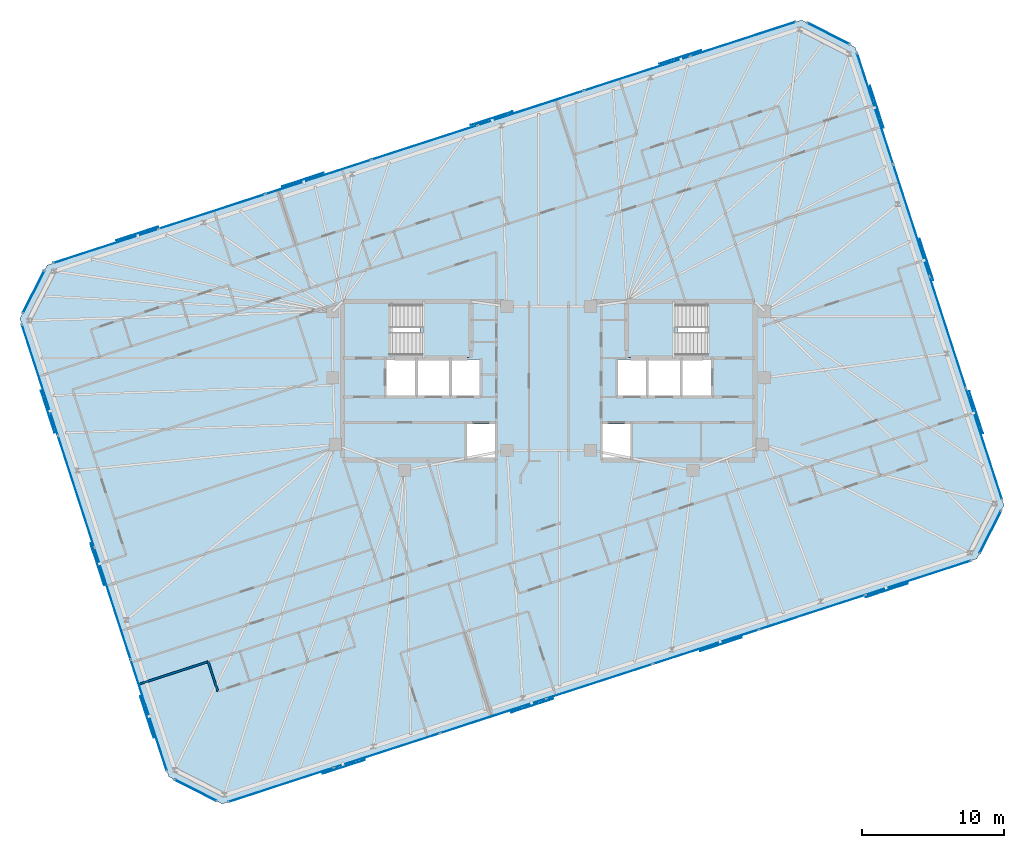
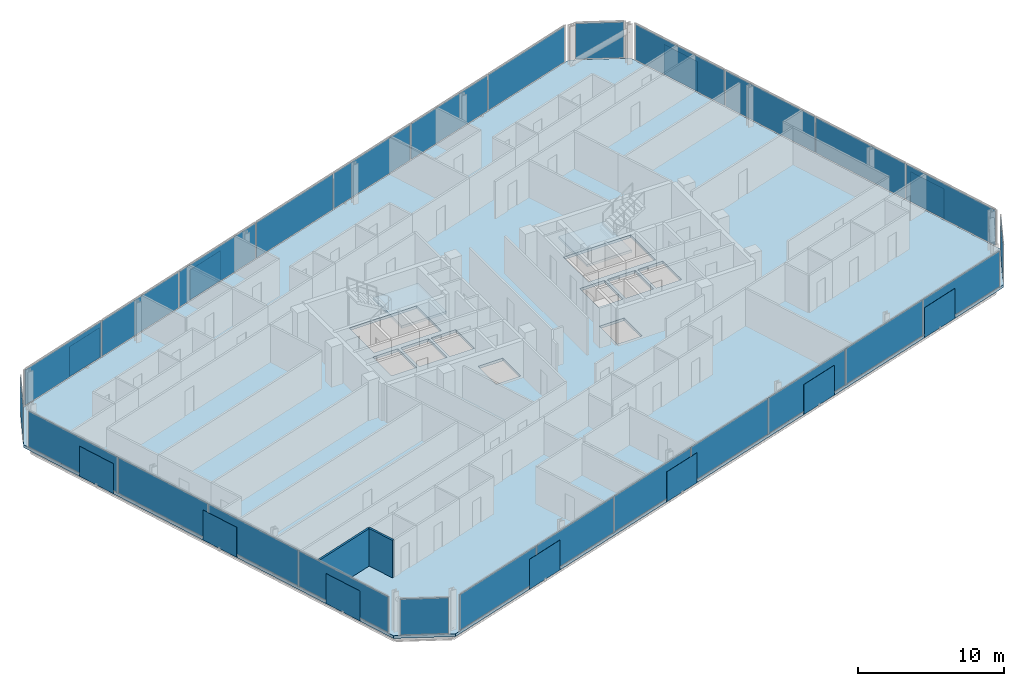
# One storey, part 12 of 20: 40 plates, 3 slabs, 2 walls, 10 elements without a shape of their own.
"""IFC4 building model written with IfcOpenShell, lengths in metres."""

import ifcopenshell
import ifcopenshell.guid

model = None  # the IFC model being written
_history = None  # IfcOwnerHistory: only IFC2X3 demands one
_inside = {}  # id of a spatial element -> (the spatial element, [elements in it])
_under = {}  # id of a project, library or spatial element -> (it, [spatial elements below it])
_declared = {}  # id of a project -> (the project, [libraries it declares])
_typed = {}  # id of a type object -> (the type object, [elements of that type])
_made_of = {}  # id of a material, layer set ... -> (it, [elements and type objects made of it])


def new_model(schema):
    """Start an empty IFC model of exactly this schema.

    Asked for "IFC4X3", IfcOpenShell would pick the latest addendum, in which some entities
    have other attributes; the version numbers below select the first issue.
    IFC2X3 requires an IfcOwnerHistory on every rooted entity: one is made here for all.
    """
    global model, _history
    if schema == "IFC4X3":
        model = ifcopenshell.file(schema_version=(4, 3, 0, 0))
    else:
        model = ifcopenshell.file(schema=schema)
    _inside.clear()
    _under.clear()
    _declared.clear()
    _typed.clear()
    _made_of.clear()
    _history = None
    if model.schema == "IFC2X3":
        org = make("IfcOrganization", Name="unknown")
        user = make(
            "IfcPersonAndOrganization",
            ThePerson=make("IfcPerson", FamilyName="unknown"),
            TheOrganization=org,
        )
        app = make(
            "IfcApplication",
            ApplicationDeveloper=org,
            Version="unknown",
            ApplicationFullName="unknown",
            ApplicationIdentifier="unknown",
        )
        _history = make(
            "IfcOwnerHistory",
            OwningUser=user,
            OwningApplication=app,
            ChangeAction="ADDED",
            CreationDate=0,
        )
    return model


def make(cls, **values):
    """One entity of the class cls with the attributes given. An attribute that is None is left unset."""
    return model.create_entity(
        cls, **{name: value for name, value in values.items() if value is not None}
    )


def rooted(cls, **values):
    """An entity with a GlobalId (a new one), such as an element, a storey or a relation."""
    return make(cls, GlobalId=ifcopenshell.guid.new(), OwnerHistory=_history, **values)


def si_unit(unit_type, name, prefix=None):
    """IfcSIUnit, for example si_unit("LENGTHUNIT", "METRE", prefix="MILLI")."""
    return make("IfcSIUnit", UnitType=unit_type, Prefix=prefix, Name=name)


def assignment(units):
    """IfcUnitAssignment: the units of a project."""
    return None if units is None else make("IfcUnitAssignment", Units=units)


def point(xyz):
    """IfcCartesianPoint."""
    return None if xyz is None else make("IfcCartesianPoint", Coordinates=xyz)


def direction(xyz):
    """IfcDirection."""
    return None if xyz is None else make("IfcDirection", DirectionRatios=xyz)


def frame(location, z_axis=None, x_axis=None):
    """IfcAxis2Placement3D, a coordinate frame: its origin and axes. An axis left out is left unset."""
    return make(
        "IfcAxis2Placement3D",
        Location=point(location),
        Axis=direction(z_axis),
        RefDirection=direction(x_axis),
    )


def frame_2d(location, x_axis=None):
    """IfcAxis2Placement2D, a coordinate frame in the plane: its origin and x axis."""
    return make(
        "IfcAxis2Placement2D", Location=point(location), RefDirection=direction(x_axis)
    )


def origin():
    """The frame at (0, 0, 0) with its axes left unset."""
    return frame((0.0, 0.0, 0.0))


def origin_2d():
    """The frame at (0, 0) in the plane with its x axis left unset."""
    return frame_2d((0.0, 0.0))


def place(relative_to, where):
    """IfcLocalPlacement: puts the frame where relative to a parent placement (None: the world)."""
    return make(
        "IfcLocalPlacement", PlacementRelTo=relative_to, RelativePlacement=where
    )


def context(
    kind, dimensions, precision=None, world=None, true_north=None, identifier=None
):
    """IfcGeometricRepresentationContext, for example the 3D "Model" context."""
    return make(
        "IfcGeometricRepresentationContext",
        ContextIdentifier=identifier,
        ContextType=kind,
        CoordinateSpaceDimension=dimensions,
        Precision=precision,
        WorldCoordinateSystem=world,
        TrueNorth=true_north,
    )


def subcontext(parent, identifier, kind, view, scale=None):
    """IfcGeometricRepresentationSubContext, for example "Body" below "Model"."""
    return make(
        "IfcGeometricRepresentationSubContext",
        ContextIdentifier=identifier,
        ContextType=kind,
        ParentContext=parent,
        TargetScale=scale,
        TargetView=view,
    )


def project(units=None, contexts=None):
    """IfcProject with its units and contexts."""
    return rooted(
        "IfcProject",
        Name="project",
        RepresentationContexts=contexts,
        UnitsInContext=assignment(units),
    )


def spatial(cls, under=None, at=None, **own):
    """A site, building, storey or space (cls), placed at a placement, below another one or the project."""
    s = rooted(cls, ObjectPlacement=at, **own)
    if under is not None:
        _under.setdefault(under.id(), (under, []))[1].append(s)
    return s


def polyline(points):
    """IfcPolyline through the points."""
    return make("IfcPolyline", Points=[point(p) for p in points])


def profile(cls, at=None, kind="AREA", **sizes):
    """A parametric profile (cls). Its sizes go by their IFC names, for example OverallWidth=200.0."""
    return make(cls, ProfileType=kind, Position=at, **sizes)


def rectangle(**sizes):
    """IfcRectangleProfileDef."""
    return profile("IfcRectangleProfileDef", **sizes)


def outline(outer, holes=None, kind="AREA"):
    """IfcArbitraryClosedProfileDef: a profile drawn as a closed curve; with holes, ...WithVoids."""
    if holes is None:
        return make("IfcArbitraryClosedProfileDef", ProfileType=kind, OuterCurve=outer)
    return make(
        "IfcArbitraryProfileDefWithVoids",
        ProfileType=kind,
        OuterCurve=outer,
        InnerCurves=holes,
    )


def extrude(swept, where, along, depth):
    """IfcExtrudedAreaSolid: the profile swept, set in the frame where, extruded along a direction by depth."""
    return make(
        "IfcExtrudedAreaSolid",
        SweptArea=swept,
        Position=where,
        ExtrudedDirection=direction(along),
        Depth=depth,
    )


def shape(context_of_items, identifier, shape_type, items):
    """IfcShapeRepresentation: the items that make up one representation, for example the "Body"."""
    return make(
        "IfcShapeRepresentation",
        ContextOfItems=context_of_items,
        RepresentationIdentifier=identifier,
        RepresentationType=shape_type,
        Items=items,
    )


def material(Name=None, Category=None):
    """IfcMaterial."""
    return make("IfcMaterial", Name=Name, Category=Category)


def layer(
    of_material, thickness, ventilated=None, Name=None, Category=None, Priority=None
):
    """IfcMaterialLayer: one layer of a wall or slab, of a material (None: an air gap)."""
    return make(
        "IfcMaterialLayer",
        Material=of_material,
        LayerThickness=thickness,
        IsVentilated=ventilated,
        Name=Name,
        Category=Category,
        Priority=Priority,
    )


def layer_set(layers, Name=None):
    """IfcMaterialLayerSet."""
    return make("IfcMaterialLayerSet", MaterialLayers=layers, LayerSetName=Name)


def made_of(thing, what):
    """Note that an element or type object is made of a material, layer set ...; save() writes the relation."""
    if what is not None:
        _made_of.setdefault(what.id(), (what, []))[1].append(thing)
    return thing


def type_object(cls, material=None, **own):
    """A type object (cls), such as IfcWallType, which elements share."""
    return made_of(rooted(cls, **own), material)


def element(
    cls,
    number,
    at=None,
    inside=None,
    cuts=None,
    type_object=None,
    material=None,
    context=None,
    identifier="Body",
    shape_type=None,
    held_by="IfcProductDefinitionShape",
    body=None,
    shapes=None,
    **own,
):
    """One element of the class cls, such as IfcWall. Its Tag is "e" and its number.

    at: its placement. inside: the storey or other place that contains it. cuts: it is an
    opening in that element (IfcRelVoidsElement). A single representation is given by context,
    identifier, shape_type and body (its items); several are given by shapes. held_by: the class
    of the entity that holds the representations. save() writes the other relations.
    """
    e = rooted(cls, Tag="e%d" % number, ObjectPlacement=at, **own)
    if body is not None:
        shapes = [shape(context, identifier, shape_type, body)]
    if shapes is not None:
        e.Representation = make(held_by, Representations=shapes)
    if inside is not None:
        _inside.setdefault(inside.id(), (inside, []))[1].append(e)
    if cuts is not None:
        rooted(
            "IfcRelVoidsElement", RelatingBuildingElement=cuts, RelatedOpeningElement=e
        )
    if type_object is not None:
        _typed.setdefault(type_object.id(), (type_object, []))[1].append(e)
    return made_of(e, material)


def aggregate(whole, parts):
    """IfcRelAggregates: a whole, such as a stair, and the parts it consists of."""
    return rooted("IfcRelAggregates", RelatingObject=whole, RelatedObjects=parts)


def save(model, path):
    """Write the relations noted so far, then the file.

    IfcRelAggregates (storeys below a building ...), IfcRelContainedInSpatialStructure (elements
    in a storey), IfcRelDefinesByType, IfcRelAssociatesMaterial and IfcRelDeclares: one each for
    every whole, place, type object, material and project.
    """
    for whole, parts in _under.values():
        aggregate(whole, parts)
    for where, things in _inside.values():
        rooted(
            "IfcRelContainedInSpatialStructure",
            RelatedElements=things,
            RelatingStructure=where,
        )
    for kind, things in _typed.values():
        rooted("IfcRelDefinesByType", RelatedObjects=things, RelatingType=kind)
    for what, things in _made_of.values():
        rooted("IfcRelAssociatesMaterial", RelatedObjects=things, RelatingMaterial=what)
    for by, libraries in _declared.values():
        rooted("IfcRelDeclares", RelatingContext=by, RelatedDefinitions=libraries)
    model.write(path)


model = new_model("IFC4")

# Units and contexts
model_context = context("Model", 3, precision=1e-05, world=origin(), true_north=direction((0.0, 1.0)))
body_context = subcontext(model_context, "Body", "Model", "MODEL_VIEW")
ifc_project = project(units=[si_unit("LENGTHUNIT", "METRE"), si_unit("AREAUNIT", "SQUARE_METRE"), si_unit("VOLUMEUNIT", "CUBIC_METRE"), si_unit("PLANEANGLEUNIT", "RADIAN"), si_unit("MASSUNIT", "GRAM", prefix="KILO")], contexts=[model_context])

# Site, building, storey
site_placement = place(None, origin())
site = spatial("IfcSite", under=ifc_project, at=site_placement, CompositionType="ELEMENT")
building_placement = place(site_placement, origin())
building = spatial("IfcBuilding", under=site, at=building_placement, Name="Menara Jurai Vektor", CompositionType="ELEMENT")
storey_placement = place(building_placement, frame((0.0, 0.0, 237.699951171875)))
storey = spatial("IfcBuildingStorey", under=building, at=storey_placement, Name="L63", CompositionType="ELEMENT", Elevation=237.699951171875)

# Curtain wall, plates
ifc_material_1 = material(Name="Anodised Pale Aluminium & Low-E Double Glazing", Category="aluminium")
curtain_wall_type = type_object("IfcCurtainWallType", Name="CW-BLK4", PredefinedType="NOTDEFINED", material=ifc_material_1)
curtain_wall_1_placement = place(storey_placement, origin())
curtain_wall_1 = element("IfcCurtainWall", 1, at=curtain_wall_1_placement, inside=storey, type_object=curtain_wall_type, Name="Unitised Curtain Wall L63 F01", PredefinedType="NOTDEFINED")
ifc_material_2 = material(Name="Low-E Solar-Control Double Glazed Unit", Category="glass")
ifc_layer_1 = layer(ifc_material_2, 0.030029296875)
ifc_layer_set_1 = layer_set([ifc_layer_1], Name="Low-E Solar-Control Double Glazed Unit")
plate_type_1 = type_object("IfcPlateType", Name="CW-BLK4-PNL", PredefinedType="CURTAIN_PANEL", material=ifc_layer_set_1)
plate_1_placement = place(storey_placement, frame((-18.916259765625, -28.53076171875, 0.080078125), z_axis=(0.0, 0.0, 1.0), x_axis=(0.951056402641, 0.309017344167, 0.0)))
plate_1 = element("IfcPlate", 2, at=plate_1_placement, type_object=plate_type_1, Name="CW-04 panel 1.1", PredefinedType="CURTAIN_PANEL", context=body_context, shape_type="SweptSolid", body=[
    extrude(rectangle(XDim=7.771484375, YDim=0.030029296875, at=origin_2d()), origin(), (0.0, 0.0, 1.0), 2.965087890625),
])
plate_2_placement = place(storey_placement, frame((-11.429931640625, -26.098388671875, 0.080078125), z_axis=(0.0, 0.0, 1.0), x_axis=(0.951056402641, 0.309017344167, 0.0)))
plate_2 = element("IfcPlate", 3, at=plate_2_placement, type_object=plate_type_1, Name="CW-04 panel 2.1", PredefinedType="CURTAIN_PANEL", context=body_context, shape_type="SweptSolid", body=[
    extrude(rectangle(XDim=7.8115234375, YDim=0.030029296875, at=origin_2d()), origin(), (0.0, 0.0, 1.0), 2.965087890625),
])
plate_3_placement = place(storey_placement, frame((-3.9248046875, -23.65966796875, 0.080078125), z_axis=(0.0, 0.0, 1.0), x_axis=(0.951056402641, 0.309017344167, 0.0)))
plate_3 = element("IfcPlate", 4, at=plate_3_placement, type_object=plate_type_1, Name="CW-04 panel 3.1", PredefinedType="CURTAIN_PANEL", context=body_context, shape_type="SweptSolid", body=[
    extrude(rectangle(XDim=7.8115234375, YDim=0.030029296875, at=origin_2d()), origin(), (0.0, 0.0, 1.0), 2.965087890625),
])
plate_4_placement = place(storey_placement, frame((3.580322265625, -21.22119140625, 0.080078125), z_axis=(0.0, 0.0, 1.0), x_axis=(0.951056402641, 0.309017344167, 0.0)))
plate_4 = element("IfcPlate", 5, at=plate_4_placement, type_object=plate_type_1, Name="CW-04 panel 4.1", PredefinedType="CURTAIN_PANEL", context=body_context, shape_type="SweptSolid", body=[
    extrude(rectangle(XDim=7.8115234375, YDim=0.030029296875, at=origin_2d()), origin(), (0.0, 0.0, 1.0), 2.965087890625),
])
plate_5_placement = place(storey_placement, frame((11.08544921875, -18.782470703125, 0.080078125), z_axis=(0.0, 0.0, 1.0), x_axis=(0.951056402641, 0.309017344167, 0.0)))
plate_5 = element("IfcPlate", 6, at=plate_5_placement, type_object=plate_type_1, Name="CW-04 panel 5.1", PredefinedType="CURTAIN_PANEL", context=body_context, shape_type="SweptSolid", body=[
    extrude(rectangle(XDim=7.8115234375, YDim=0.030029296875, at=origin_2d()), origin(), (0.0, 0.0, 1.0), 2.965087890625),
])
plate_6_placement = place(storey_placement, frame((18.5908203125, -16.343994140625, 0.080078125), z_axis=(0.0, 0.0, 1.0), x_axis=(0.951056402641, 0.309017344167, 0.0)))
plate_6 = element("IfcPlate", 7, at=plate_6_placement, type_object=plate_type_1, Name="CW-04 panel 6.1", PredefinedType="CURTAIN_PANEL", context=body_context, shape_type="SweptSolid", body=[
    extrude(rectangle(XDim=7.8115234375, YDim=0.030029296875, at=origin_2d()), origin(), (0.0, 0.0, 1.0), 2.965087890625),
])
plate_7_placement = place(storey_placement, frame((26.076904296875, -13.91162109375, 0.080078125), z_axis=(0.0, 0.0, 1.0), x_axis=(0.951056402641, 0.309017344167, 0.0)))
plate_7 = element("IfcPlate", 8, at=plate_7_placement, type_object=plate_type_1, Name="CW-04 panel 7.1", PredefinedType="CURTAIN_PANEL", context=body_context, shape_type="SweptSolid", body=[
    extrude(rectangle(XDim=7.771484375, YDim=0.030029296875, at=origin_2d()), origin(), (0.0, 0.0, 1.0), 2.965087890625),
])
aggregate(curtain_wall_1, [plate_1, plate_2, plate_3, plate_4, plate_5, plate_6, plate_7])

curtain_wall_2_placement = place(storey_placement, origin())
curtain_wall_2 = element("IfcCurtainWall", 9, at=curtain_wall_2_placement, inside=storey, type_object=curtain_wall_type, Name="Unitised Curtain Wall L63 F03", PredefinedType="NOTDEFINED")
plate_8_placement = place(storey_placement, frame((30.728515625, -4.456298828125, 0.080078125), z_axis=(0.0, 0.0, 1.0), x_axis=(-0.309016481464, 0.95105668295, 0.0)))
plate_8 = element("IfcPlate", 10, at=plate_8_placement, type_object=plate_type_1, Name="CW-04 panel 1.1", PredefinedType="CURTAIN_PANEL", context=body_context, shape_type="SweptSolid", body=[
    extrude(rectangle(XDim=8.18994140625, YDim=0.030029296875, at=origin_2d()), origin(), (0.0, 0.0, 1.0), 2.965087890625),
])
plate_9_placement = place(storey_placement, frame((28.166748046875, 3.427978515625, 0.080078125), z_axis=(0.0, 0.0, 1.0), x_axis=(-0.309016481464, 0.95105668295, 0.0)))
plate_9 = element("IfcPlate", 11, at=plate_9_placement, type_object=plate_type_1, Name="CW-04 panel 2.1", PredefinedType="CURTAIN_PANEL", context=body_context, shape_type="SweptSolid", body=[
    extrude(rectangle(XDim=8.22998046875, YDim=0.030029296875, at=origin_2d()), origin(), (0.0, 0.0, 1.0), 2.965087890625),
])
plate_10_placement = place(storey_placement, frame((25.598876953125, 11.331298828125, 0.080078125), z_axis=(0.0, 0.0, 1.0), x_axis=(-0.309016481464, 0.95105668295, 0.0)))
plate_10 = element("IfcPlate", 12, at=plate_10_placement, type_object=plate_type_1, Name="CW-04 panel 3.1", PredefinedType="CURTAIN_PANEL", context=body_context, shape_type="SweptSolid", body=[
    extrude(rectangle(XDim=8.22998046875, YDim=0.030029296875, at=origin_2d()), origin(), (0.0, 0.0, 1.0), 2.965087890625),
])
plate_11_placement = place(storey_placement, frame((23.037109375, 19.21533203125, 0.080078125), z_axis=(0.0, 0.0, 1.0), x_axis=(-0.309016481464, 0.95105668295, 0.0)))
plate_11 = element("IfcPlate", 13, at=plate_11_placement, type_object=plate_type_1, Name="CW-04 panel 4.1", PredefinedType="CURTAIN_PANEL", context=body_context, shape_type="SweptSolid", body=[
    extrude(rectangle(XDim=8.18994140625, YDim=0.030029296875, at=origin_2d()), origin(), (0.0, 0.0, 1.0), 2.965087890625),
])
aggregate(curtain_wall_2, [plate_8, plate_9, plate_10, plate_11])

curtain_wall_3_placement = place(storey_placement, origin())
curtain_wall_3 = element("IfcCurtainWall", 14, at=curtain_wall_3_placement, inside=storey, type_object=curtain_wall_type, Name="Unitised Curtain Wall L63 F05", PredefinedType="NOTDEFINED")
plate_12_placement = place(storey_placement, frame((13.716064453125, 24.130615234375, 0.080078125), z_axis=(0.0, 0.0, 1.0), x_axis=(-0.951056402641, -0.309017344167, 0.0)))
plate_12 = element("IfcPlate", 15, at=plate_12_placement, type_object=plate_type_1, Name="CW-04 panel 1.1", PredefinedType="CURTAIN_PANEL", context=body_context, shape_type="SweptSolid", body=[
    extrude(rectangle(XDim=7.771484375, YDim=0.030029296875, at=origin_2d()), origin(), (0.0, 0.0, 1.0), 2.965087890625),
])
plate_13_placement = place(storey_placement, frame((6.22998046875, 21.6982421875, 0.080078125), z_axis=(0.0, 0.0, 1.0), x_axis=(-0.951056402641, -0.309017344167, 0.0)))
plate_13 = element("IfcPlate", 16, at=plate_13_placement, type_object=plate_type_1, Name="CW-04 panel 2.1", PredefinedType="CURTAIN_PANEL", context=body_context, shape_type="SweptSolid", body=[
    extrude(rectangle(XDim=7.8115234375, YDim=0.030029296875, at=origin_2d()), origin(), (0.0, 0.0, 1.0), 2.965087890625),
])
plate_14_placement = place(storey_placement, frame((-1.275146484375, 19.259765625, 0.080078125), z_axis=(0.0, 0.0, 1.0), x_axis=(-0.951056402641, -0.309017344167, 0.0)))
plate_14 = element("IfcPlate", 17, at=plate_14_placement, type_object=plate_type_1, Name="CW-04 panel 3.1", PredefinedType="CURTAIN_PANEL", context=body_context, shape_type="SweptSolid", body=[
    extrude(rectangle(XDim=7.8115234375, YDim=0.030029296875, at=origin_2d()), origin(), (0.0, 0.0, 1.0), 2.965087890625),
])
plate_15_placement = place(storey_placement, frame((-8.7802734375, 16.821044921875, 0.080078125), z_axis=(0.0, 0.0, 1.0), x_axis=(-0.951056402641, -0.309017344167, 0.0)))
plate_15 = element("IfcPlate", 18, at=plate_15_placement, type_object=plate_type_1, Name="CW-04 panel 4.1", PredefinedType="CURTAIN_PANEL", context=body_context, shape_type="SweptSolid", body=[
    extrude(rectangle(XDim=7.8115234375, YDim=0.030029296875, at=origin_2d()), origin(), (0.0, 0.0, 1.0), 2.965087890625),
])
plate_16_placement = place(storey_placement, frame((-16.28564453125, 14.382568359375, 0.080078125), z_axis=(0.0, 0.0, 1.0), x_axis=(-0.951056402641, -0.309017344167, 0.0)))
plate_16 = element("IfcPlate", 19, at=plate_16_placement, type_object=plate_type_1, Name="CW-04 panel 5.1", PredefinedType="CURTAIN_PANEL", context=body_context, shape_type="SweptSolid", body=[
    extrude(rectangle(XDim=7.8115234375, YDim=0.030029296875, at=origin_2d()), origin(), (0.0, 0.0, 1.0), 2.965087890625),
])
plate_17_placement = place(storey_placement, frame((-23.790771484375, 11.944091796875, 0.080078125), z_axis=(0.0, 0.0, 1.0), x_axis=(-0.951056402641, -0.309017344167, 0.0)))
plate_17 = element("IfcPlate", 20, at=plate_17_placement, type_object=plate_type_1, Name="CW-04 panel 6.1", PredefinedType="CURTAIN_PANEL", context=body_context, shape_type="SweptSolid", body=[
    extrude(rectangle(XDim=7.8115234375, YDim=0.030029296875, at=origin_2d()), origin(), (0.0, 0.0, 1.0), 2.965087890625),
])
plate_18_placement = place(storey_placement, frame((-31.27685546875, 9.511474609375, 0.080078125), z_axis=(0.0, 0.0, 1.0), x_axis=(-0.951056402641, -0.309017344167, 0.0)))
plate_18 = element("IfcPlate", 21, at=plate_18_placement, type_object=plate_type_1, Name="CW-04 panel 7.1", PredefinedType="CURTAIN_PANEL", context=body_context, shape_type="SweptSolid", body=[
    extrude(rectangle(XDim=7.771484375, YDim=0.030029296875, at=origin_2d()), origin(), (0.0, 0.0, 1.0), 2.965087890625),
])
aggregate(curtain_wall_3, [plate_12, plate_13, plate_14, plate_15, plate_16, plate_17, plate_18])

curtain_wall_4_placement = place(storey_placement, origin())
curtain_wall_4 = element("IfcCurtainWall", 22, at=curtain_wall_4_placement, inside=storey, type_object=curtain_wall_type, Name="Unitised Curtain Wall L63 F07", PredefinedType="NOTDEFINED")
plate_19_placement = place(storey_placement, frame((-35.928466796875, 0.056396484375, 0.080078125), z_axis=(0.0, 0.0, 1.0), x_axis=(0.309016481464, -0.95105668295, 0.0)))
plate_19 = element("IfcPlate", 23, at=plate_19_placement, type_object=plate_type_1, Name="CW-04 panel 1.1", PredefinedType="CURTAIN_PANEL", context=body_context, shape_type="SweptSolid", body=[
    extrude(rectangle(XDim=8.18994140625, YDim=0.030029296875, at=origin_2d()), origin(), (0.0, 0.0, 1.0), 2.965087890625),
])
plate_20_placement = place(storey_placement, frame((-33.36669921875, -7.827880859375, 0.080078125), z_axis=(0.0, 0.0, 1.0), x_axis=(0.309016481464, -0.95105668295, 0.0)))
plate_20 = element("IfcPlate", 24, at=plate_20_placement, type_object=plate_type_1, Name="CW-04 panel 2.1", PredefinedType="CURTAIN_PANEL", context=body_context, shape_type="SweptSolid", body=[
    extrude(rectangle(XDim=8.22998046875, YDim=0.030029296875, at=origin_2d()), origin(), (0.0, 0.0, 1.0), 2.965087890625),
])
plate_21_placement = place(storey_placement, frame((-30.798828125, -15.731201171875, 0.080078125), z_axis=(0.0, 0.0, 1.0), x_axis=(0.309016481464, -0.95105668295, 0.0)))
plate_21 = element("IfcPlate", 25, at=plate_21_placement, type_object=plate_type_1, Name="CW-04 panel 3.1", PredefinedType="CURTAIN_PANEL", context=body_context, shape_type="SweptSolid", body=[
    extrude(rectangle(XDim=8.22998046875, YDim=0.030029296875, at=origin_2d()), origin(), (0.0, 0.0, 1.0), 2.965087890625),
])
plate_22_placement = place(storey_placement, frame((-28.237060546875, -23.615478515625, 0.080078125), z_axis=(0.0, 0.0, 1.0), x_axis=(0.309016481464, -0.95105668295, 0.0)))
plate_22 = element("IfcPlate", 26, at=plate_22_placement, type_object=plate_type_1, Name="CW-04 panel 4.1", PredefinedType="CURTAIN_PANEL", context=body_context, shape_type="SweptSolid", body=[
    extrude(rectangle(XDim=8.18994140625, YDim=0.030029296875, at=origin_2d()), origin(), (0.0, 0.0, 1.0), 2.965087890625),
])
aggregate(curtain_wall_4, [plate_19, plate_20, plate_21, plate_22])

# Curtain wall, plate
curtain_wall_5_placement = place(storey_placement, origin())
curtain_wall_5 = element("IfcCurtainWall", 27, at=curtain_wall_5_placement, inside=storey, type_object=curtain_wall_type, Name="Unitised Curtain Wall L63 F02", PredefinedType="NOTDEFINED")
ifc_material_3 = material(Name="Insulated Pale Aluminium Spandrel Panel", Category="aluminium")
ifc_layer_2 = layer(ifc_material_3, 0.06005859375)
ifc_layer_set_2 = layer_set([ifc_layer_2], Name="Insulated Pale Aluminium Spandrel Panel")
plate_type_2 = type_object("IfcPlateType", Name="CW-PNL-SP", PredefinedType="CURTAIN_PANEL", material=ifc_layer_set_2)
plate_23_placement = place(storey_placement, frame((31.1728515625, -10.678466796875, 0.080078125), z_axis=(0.0, 0.0, 1.0), x_axis=(0.453988579828, 0.89100750243, 0.0)))
plate_23 = element("IfcPlate", 28, at=plate_23_placement, type_object=plate_type_2, Name="CW-04 panel 1.1", PredefinedType="CURTAIN_PANEL", context=body_context, shape_type="SweptSolid", body=[
    extrude(rectangle(XDim=3.32275390625, YDim=0.06005859375, at=origin_2d()), origin(), (0.0, 0.0, 1.0), 2.965087890625),
])
aggregate(curtain_wall_5, [plate_23])

curtain_wall_6_placement = place(storey_placement, origin())
curtain_wall_6 = element("IfcCurtainWall", 29, at=curtain_wall_6_placement, inside=storey, type_object=curtain_wall_type, Name="Unitised Curtain Wall L63 F04", PredefinedType="NOTDEFINED")
plate_24_placement = place(storey_placement, frame((19.7392578125, 24.510498046875, 0.080078125), z_axis=(0.0, 0.0, 1.0), x_axis=(-0.89100750243, 0.453988579828, 0.0)))
plate_24 = element("IfcPlate", 30, at=plate_24_placement, type_object=plate_type_2, Name="CW-04 panel 1.1", PredefinedType="CURTAIN_PANEL", context=body_context, shape_type="SweptSolid", body=[
    extrude(rectangle(XDim=3.32275390625, YDim=0.06005859375, at=origin_2d()), origin(), (0.0, 0.0, 1.0), 2.965087890625),
])
aggregate(curtain_wall_6, [plate_24])

curtain_wall_7_placement = place(storey_placement, origin())
curtain_wall_7 = element("IfcCurtainWall", 31, at=curtain_wall_7_placement, inside=storey, type_object=curtain_wall_type, Name="Unitised Curtain Wall L63 F06", PredefinedType="NOTDEFINED")
plate_25_placement = place(storey_placement, frame((-36.373046875, 6.278564453125, 0.080078125), z_axis=(0.0, 0.0, 1.0), x_axis=(-0.453988579828, -0.89100750243, 0.0)))
plate_25 = element("IfcPlate", 32, at=plate_25_placement, type_object=plate_type_2, Name="CW-04 panel 1.1", PredefinedType="CURTAIN_PANEL", context=body_context, shape_type="SweptSolid", body=[
    extrude(rectangle(XDim=3.32275390625, YDim=0.06005859375, at=origin_2d()), origin(), (0.0, 0.0, 1.0), 2.965087890625),
])
aggregate(curtain_wall_7, [plate_25])

curtain_wall_8_placement = place(storey_placement, origin())
curtain_wall_8 = element("IfcCurtainWall", 33, at=curtain_wall_8_placement, inside=storey, type_object=curtain_wall_type, Name="Unitised Curtain Wall L63 F08", PredefinedType="NOTDEFINED")
plate_26_placement = place(storey_placement, frame((-24.939453125, -28.91064453125, 0.080078125), z_axis=(0.0, 0.0, 1.0), x_axis=(0.89100750243, -0.453988579828, 0.0)))
plate_26 = element("IfcPlate", 34, at=plate_26_placement, type_object=plate_type_2, Name="CW-04 panel 1.1", PredefinedType="CURTAIN_PANEL", context=body_context, shape_type="SweptSolid", body=[
    extrude(rectangle(XDim=3.32275390625, YDim=0.06005859375, at=origin_2d()), origin(), (0.0, 0.0, 1.0), 2.965087890625),
])
aggregate(curtain_wall_8, [plate_26])

# Plates
ifc_material_4 = material(Name="Anodised Pale Aluminium Perforated Screen", Category="aluminium")
ifc_layer_3 = layer(ifc_material_4, 0.02197265625)
ifc_layer_set_3 = layer_set([ifc_layer_3], Name="Anodised Pale Aluminium Perforated Screen")
plate_type_3 = type_object("IfcPlateType", Name="ENV-PLT-SCREEN-HI", PredefinedType="USERDEFINED", material=ifc_layer_set_3)
for number, where, z_axis, x_axis, name in (
    (35, (-14.478271484375, -27.257080078125, -0.050048828125), (0.0, 0.0, 1.0), (0.951056516295, 0.309016994375, 0.0), "Perforated Pale-Metal Solar Screen L63-S01"),
    (36, (-1.16357421875, -22.930908203125, -0.050048828125), (0.0, 0.0, 1.0), (0.951056516295, 0.309016994375, 0.0), "Perforated Pale-Metal Solar Screen L63-S02"),
    (37, (12.151123046875, -18.6044921875, -0.050048828125), (0.0, 0.0, 1.0), (0.951056516295, 0.309016994375, 0.0), "Perforated Pale-Metal Solar Screen L63-S03"),
    (38, (23.868408203125, -14.797607421875, -0.050048828125), (0.0, 0.0, 1.0), (0.951056516295, 0.309016994375, 0.0), "Perforated Pale-Metal Solar Screen L63-S04"),
    (39, (30.16943359375, -2.218017578125, -0.050048828125), (0.0, 0.0, 1.0), (-0.309016994375, 0.951056516295, 0.0), "Perforated Pale-Metal Solar Screen L63-S05"),
    (40, (26.667236328125, 8.560791015625, -0.050048828125), (0.0, 0.0, 1.0), (-0.309016994375, 0.951056516295, 0.0), "Perforated Pale-Metal Solar Screen L63-S06"),
    (41, (23.1650390625, 19.33935546875, -0.050048828125), (0.0, 0.0, 1.0), (-0.309016994375, 0.951056516295, 0.0), "Perforated Pale-Metal Solar Screen L63-S07"),
    (42, (9.2783203125, 22.85693359375, -0.050048828125), (0.0, 0.0, 1.0), (-0.951056516295, -0.309016994375, 0.0), "Perforated Pale-Metal Solar Screen L63-S08"),
    (43, (-4.03662109375, 18.53076171875, -0.050048828125), (0.0, 0.0, 1.0), (-0.951056516295, -0.309016994375, 0.0), "Perforated Pale-Metal Solar Screen L63-S09"),
    (44, (-17.351318359375, 14.20458984375, -0.050048828125), (0.0, 0.0, 1.0), (-0.951056516295, -0.309016994375, 0.0), "Perforated Pale-Metal Solar Screen L63-S10"),
    (45, (-29.068359375, 10.3974609375, -0.050048828125), (0.0, 0.0, 1.0), (-0.951056516295, -0.309016994375, 0.0), "Perforated Pale-Metal Solar Screen L63-S11"),
    (46, (-35.369384765625, -2.18212890625, -0.050048828125), (0.0, 0.0, 1.0), (0.309016994375, -0.951056516295, 0.0), "Perforated Pale-Metal Solar Screen L63-S12"),
    (47, (-31.8671875, -12.960693359375, -0.050048828125), (0.0, 0.0, 1.0), (0.309016994375, -0.951056516295, 0.0), "Perforated Pale-Metal Solar Screen L63-S13"),
    (48, (-28.364990234375, -23.739501953125, -0.050048828125), (0.0, 0.0, 1.0), (0.309016994375, -0.951056516295, 0.0), "Perforated Pale-Metal Solar Screen L63-S14"),
):
    element("IfcPlate", number, at=place(storey_placement, frame(where, z_axis=z_axis, x_axis=x_axis)), inside=storey, type_object=plate_type_3, Name=name, ObjectType="SCREEN", PredefinedType="USERDEFINED", context=body_context, shape_type="SweptSolid", body=[
        extrude(rectangle(XDim=3.10009765625, YDim=0.02197265625, at=origin_2d()), origin(), (0.0, 0.0, 1.0), 2.5),
    ])

# Stair, slab
ifc_material_5 = material(Name="Concrete C40/50", Category="concrete")
stair_type = type_object("IfcStairType", Name="STAIR-DOGLEG-1500", PredefinedType="HALF_TURN_STAIR", material=ifc_material_5)
stair_1_placement = place(storey_placement, origin())
stair_1 = element("IfcStair", 49, at=stair_1_placement, inside=storey, type_object=stair_type, Name="Protected Exit Stair ST1 L63", PredefinedType="HALF_TURN_STAIR")
ifc_layer_4 = layer(ifc_material_5, 0.199951171875)
ifc_layer_set_4 = layer_set([ifc_layer_4], Name="Concrete C40/50")
slab_type_1 = type_object("IfcSlabType", Name="STAIR-LANDING-200", PredefinedType="LANDING", material=ifc_layer_set_4)
slab_1_placement = place(storey_placement, frame((0.0, 0.0, 1.47509765625)))
slab_1 = element("IfcSlab", 50, at=slab_1_placement, type_object=slab_type_1, Name="ST1 landing 1", PredefinedType="LANDING", context=body_context, shape_type="SweptSolid", body=[
    extrude(outline(polyline([(-9.080078125, 1.64990234375), (-5.550048828125, 1.64990234375), (-5.550048828125, 5.550048828125), (-9.080078125, 5.550048828125), (-9.080078125, 1.64990234375)])), origin(), (0.0, 0.0, 1.0), 0.199951171875),
])
aggregate(stair_1, [slab_1])

stair_2_placement = place(storey_placement, origin())
stair_2 = element("IfcStair", 51, at=stair_2_placement, inside=storey, type_object=stair_type, Name="Protected Exit Stair ST2 L63", PredefinedType="HALF_TURN_STAIR")
slab_2_placement = place(storey_placement, frame((0.0, 0.0, 1.47509765625)))
slab_2 = element("IfcSlab", 52, at=slab_2_placement, type_object=slab_type_1, Name="ST2 landing 1", PredefinedType="LANDING", context=body_context, shape_type="SweptSolid", body=[
    extrude(outline(polyline([(5.550048828125, 1.64990234375), (9.080078125, 1.64990234375), (9.080078125, 5.550048828125), (5.550048828125, 5.550048828125), (5.550048828125, 1.64990234375)])), origin(), (0.0, 0.0, 1.0), 0.199951171875),
])
aggregate(stair_2, [slab_2])

# Slab
ifc_layer_5 = layer(ifc_material_5, 0.22509765625)
ifc_layer_set_5 = layer_set([ifc_layer_5], Name="Concrete C40/50")
slab_type_2 = type_object("IfcSlabType", Name="STR-SLAB-TYP200", PredefinedType="FLOOR", material=ifc_layer_set_5)
slab_3_placement = place(storey_placement, frame((0.0, 0.0, -0.224853515625)))
element("IfcSlab", 53, at=slab_3_placement, inside=storey, type_object=slab_type_2, Name="Composite Floor Slab L63", PredefinedType="FLOOR", context=body_context, shape_type="SweptSolid", body=[
    extrude(outline(polyline([(-23.04931640625, -29.87353515625), (30.2099609375, -12.568603515625), (32.135986328125, -8.788330078125), (21.62939453125, 23.547607421875), (17.84912109375, 25.4736328125), (-35.409912109375, 8.168701171875), (-37.3359375, 4.388427734375), (-26.82958984375, -27.947509765625), (-23.04931640625, -29.87353515625)]), holes=[polyline([(-11.10009765625, 1.89990234375), (-11.10009765625, 5.300048828125), (-5.800048828125, 5.300048828125), (-5.800048828125, 1.89990234375), (-11.10009765625, 1.89990234375)]), polyline([(5.800048828125, 1.89990234375), (5.800048828125, 5.300048828125), (11.10009765625, 5.300048828125), (11.10009765625, 1.89990234375), (5.800048828125, 1.89990234375)]), polyline([(-11.449951171875, -1.050048828125), (-11.449951171875, 1.5), (-9.449951171875, 1.5), (-9.449951171875, -1.050048828125), (-11.449951171875, -1.050048828125)]), polyline([(9.449951171875, -1.050048828125), (9.449951171875, 1.5), (11.449951171875, 1.5), (11.449951171875, -1.050048828125), (9.449951171875, -1.050048828125)]), polyline([(-5.760009765625, -5.5), (-5.760009765625, -3.050048828125), (-3.800048828125, -3.050048828125), (-3.800048828125, -5.5), (-5.760009765625, -5.5)]), polyline([(-6.85009765625, -1.050048828125), (-6.85009765625, 1.5), (-4.889892578125, 1.5), (-4.889892578125, -1.050048828125), (-6.85009765625, -1.050048828125)]), polyline([(3.800048828125, -5.5), (3.800048828125, -3.050048828125), (5.760009765625, -3.050048828125), (5.760009765625, -5.5), (3.800048828125, -5.5)]), polyline([(4.889892578125, -1.050048828125), (4.889892578125, 1.5), (6.85009765625, 1.5), (6.85009765625, -1.050048828125), (4.889892578125, -1.050048828125)]), polyline([(-9.25, -1.050048828125), (-9.25, 1.5), (-7.050048828125, 1.5), (-7.050048828125, -1.050048828125), (-9.25, -1.050048828125)]), polyline([(7.050048828125, -1.050048828125), (7.050048828125, 1.5), (9.25, 1.5), (9.25, -1.050048828125), (7.050048828125, -1.050048828125)])]), origin(), (0.0, 0.0, 1.0), 0.224853515625),
])

# Walls
ifc_material_6 = material(Name="Gypsum Fireboard Partition", Category="gypsum")
ifc_layer_6 = layer(ifc_material_6, 0.14990234375)
ifc_layer_set_6 = layer_set([ifc_layer_6], Name="Gypsum Fireboard Partition")
wall_type = type_object("IfcWallType", Name="INT-WALL-CORR-150", PredefinedType="PARTITIONING", material=ifc_layer_set_6)
wall_1_placement = place(storey_placement, frame((-28.949951171875, -21.42138671875, 0.0), z_axis=(0.0, 0.0, 1.0), x_axis=(0.951058442388, 0.309011066408, 0.0)))
element("IfcWall", 54, at=wall_1_placement, inside=storey, type_object=wall_type, Name="Interior Wall IW-150 L63", PredefinedType="PARTITIONING", context=body_context, shape_type="SweptSolid", body=[
    extrude(rectangle(XDim=5.152099609375, YDim=0.14990234375, at=frame_2d((2.576171875, 0.0))), origin(), (0.0, 0.0, 1.0), 3.125),
])
wall_2_placement = place(storey_placement, frame((-23.370361328125, -21.921630859375, 0.0), z_axis=(0.0, 0.0, 1.0), x_axis=(-0.308960600764, 0.951074837842, 0.0)))
element("IfcWall", 55, at=wall_2_placement, inside=storey, type_object=wall_type, Name="Interior Wall IW-150 L63", PredefinedType="PARTITIONING", context=body_context, shape_type="SweptSolid", body=[
    extrude(rectangle(XDim=2.199951171875, YDim=0.14990234375, at=frame_2d((1.10009765625, 0.0))), origin(), (0.0, 0.0, 1.0), 3.125),
])

save(model, "model.ifc")
